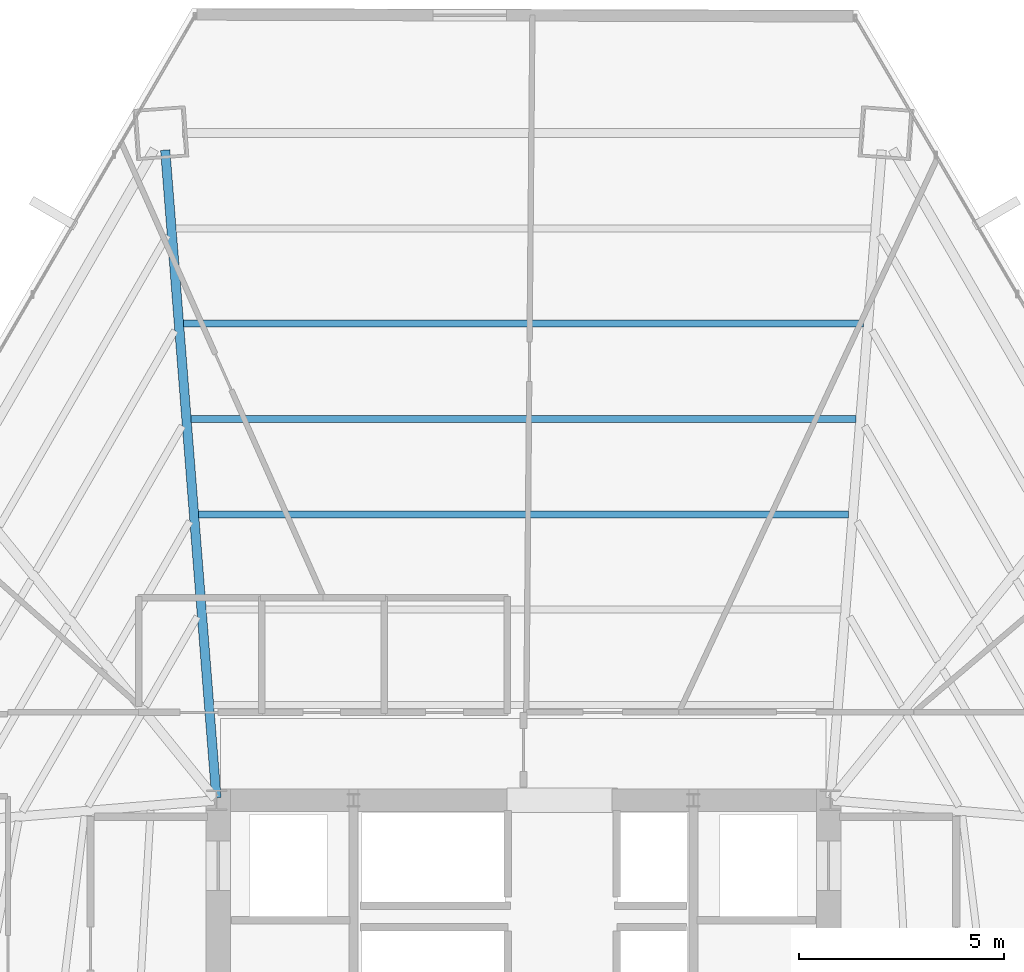
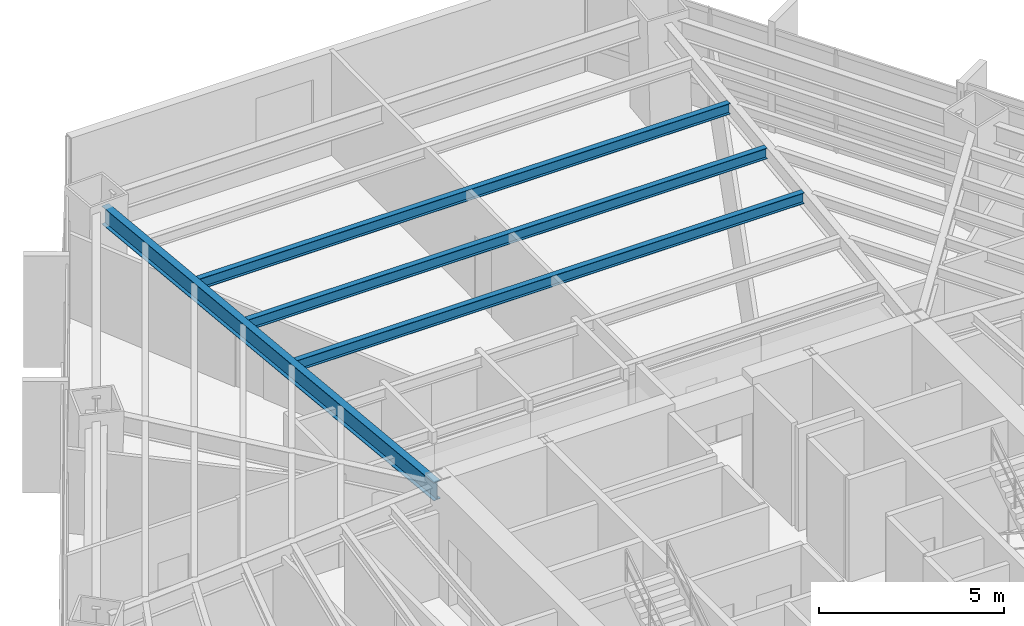
# One storey, part 27 of 37: 4 beams.
"""IFC4 building model written with IfcOpenShell, lengths in metres."""

from ifc_helpers import new_model, si_unit, direction, frame, origin, origin_2d, place, context, subcontext, project, spatial, i_section, extrude, source, transform, mapped, material, material_profile, profile_set, type_object, type_shapes, element, save


model = new_model("IFC4")

# Units and contexts
model_context = context("Model", 3, precision=1e-05, world=origin(), true_north=direction((0.0, 1.0)))
body_context = subcontext(model_context, "Body", "Model", "MODEL_VIEW")
ifc_project = project(units=[si_unit("LENGTHUNIT", "METRE"), si_unit("AREAUNIT", "SQUARE_METRE"), si_unit("VOLUMEUNIT", "CUBIC_METRE"), si_unit("PLANEANGLEUNIT", "RADIAN"), si_unit("MASSUNIT", "GRAM", prefix="KILO")], contexts=[model_context])

# Site, building, storey
site_placement = place(None, origin())
site = spatial("IfcSite", under=ifc_project, at=site_placement, CompositionType="ELEMENT")
building_placement = place(site_placement, origin())
building = spatial("IfcBuilding", under=site, at=building_placement, Name="Caelisora Broadcast Tower", CompositionType="ELEMENT")
storey_placement = place(building_placement, frame((0.0, 0.0, 45.85009765625)))
storey = spatial("IfcBuildingStorey", under=building, at=storey_placement, Name="L11", CompositionType="ELEMENT", Elevation=45.85009765625)

# Beams
ifc_material = material(Name="Steel Grade 350 (AS/NZS 3679.1)", Category="steel")
ifc_material_profile_1 = material_profile(ifc_material, i_section(OverallWidth=0.22802734375, OverallDepth=0.602294921875, WebThickness=0.010498046875, FlangeThickness=0.014892578125, at=origin_2d()), Name="Steel Grade 350 (AS/NZS 3679.1)")
ifc_profile_set_1 = profile_set([ifc_material_profile_1], Name="Steel Grade 350 (AS/NZS 3679.1)")
beam_type_1 = type_object("IfcBeamType", Name="PG04", PredefinedType="BEAM", material=ifc_profile_set_1)
shared_shape_1 = source(origin(), body_context, "Body", "SweptSolid", [
    extrude(i_section(OverallWidth=0.22802734375, OverallDepth=0.602294921875, WebThickness=0.010498046875, FlangeThickness=0.014892578125, at=origin_2d()), origin(), (0.0, 0.0, 1.0), 15.88134765625),
])
type_shapes(beam_type_1, [shared_shape_1])
beam_1_placement = place(storey_placement, frame((30.495361328125, 30.059814453125, 3.098876953125), z_axis=(-0.078754750647, 0.996894021073, 0.0), x_axis=(-0.996894021073, -0.078754750647, 0.0)))
element("IfcBeam", 1, at=beam_1_placement, inside=storey, type_object=beam_type_1, Name="L11 beam PG04", PredefinedType="BEAM", context=body_context, shape_type="MappedRepresentation", body=[
    mapped(shared_shape_1, transform((0.0, 0.0, 0.0), scale=1.0)),
])
ifc_material_profile_2 = material_profile(ifc_material, i_section(OverallWidth=0.172119140625, OverallDepth=0.358642578125, WebThickness=0.008056640625, FlangeThickness=0.012939453125, at=origin_2d()), Name="Steel Grade 350 (AS/NZS 3679.1)")
ifc_profile_set_2 = profile_set([ifc_material_profile_2], Name="Steel Grade 350 (AS/NZS 3679.1)")
beam_type_2 = type_object("IfcBeamType", Name="SB02", PredefinedType="JOIST", material=ifc_profile_set_2)
shared_shape_2 = source(origin(), body_context, "Body", "SweptSolid", [
    extrude(i_section(OverallWidth=0.172119140625, OverallDepth=0.358642578125, WebThickness=0.008056640625, FlangeThickness=0.012939453125, at=origin_2d()), origin(), (0.0, 0.0, 1.0), 15.8818359375),
])
beam_2_placement = place(storey_placement, frame((45.94091796875, 36.990234375, 3.220703125), z_axis=(-1.0, 0.0, 0.0), x_axis=(0.0, -1.0, 0.0)))
element("IfcBeam", 2, at=beam_2_placement, inside=storey, type_object=beam_type_2, Name="L11 beam SB02", PredefinedType="JOIST", context=body_context, shape_type="MappedRepresentation", body=[
    mapped(shared_shape_2, transform((0.0, 0.0, 0.0), scale=1.0)),
])
shared_shape_3 = source(origin(), body_context, "Body", "SweptSolid", [
    extrude(i_section(OverallWidth=0.172119140625, OverallDepth=0.358642578125, WebThickness=0.008056640625, FlangeThickness=0.012939453125, at=origin_2d()), origin(), (0.0, 0.0, 1.0), 16.24951171875),
])
beam_3_placement = place(storey_placement, frame((46.124755859375, 39.3203125, 3.220703125), z_axis=(-1.0, 0.0, 0.0), x_axis=(0.0, -1.0, 0.0)))
element("IfcBeam", 3, at=beam_3_placement, inside=storey, type_object=beam_type_2, Name="L11 beam SB02", PredefinedType="JOIST", context=body_context, shape_type="MappedRepresentation", body=[
    mapped(shared_shape_3, transform((0.0, 0.0, 0.0), scale=1.0)),
])
shared_shape_4 = source(origin(), body_context, "Body", "SweptSolid", [
    extrude(i_section(OverallWidth=0.172119140625, OverallDepth=0.358642578125, WebThickness=0.008056640625, FlangeThickness=0.012939453125, at=origin_2d()), origin(), (0.0, 0.0, 1.0), 16.61767578125),
])
type_shapes(beam_type_2, [shared_shape_2, shared_shape_3, shared_shape_4])
beam_4_placement = place(storey_placement, frame((46.308837890625, 41.650390625, 3.220703125), z_axis=(-1.0, 0.0, 0.0), x_axis=(0.0, -1.0, 0.0)))
element("IfcBeam", 4, at=beam_4_placement, inside=storey, type_object=beam_type_2, Name="L11 beam SB02", PredefinedType="JOIST", context=body_context, shape_type="MappedRepresentation", body=[
    mapped(shared_shape_4, transform((0.0, 0.0, 0.0), scale=1.0)),
])

save(model, "model.ifc")
